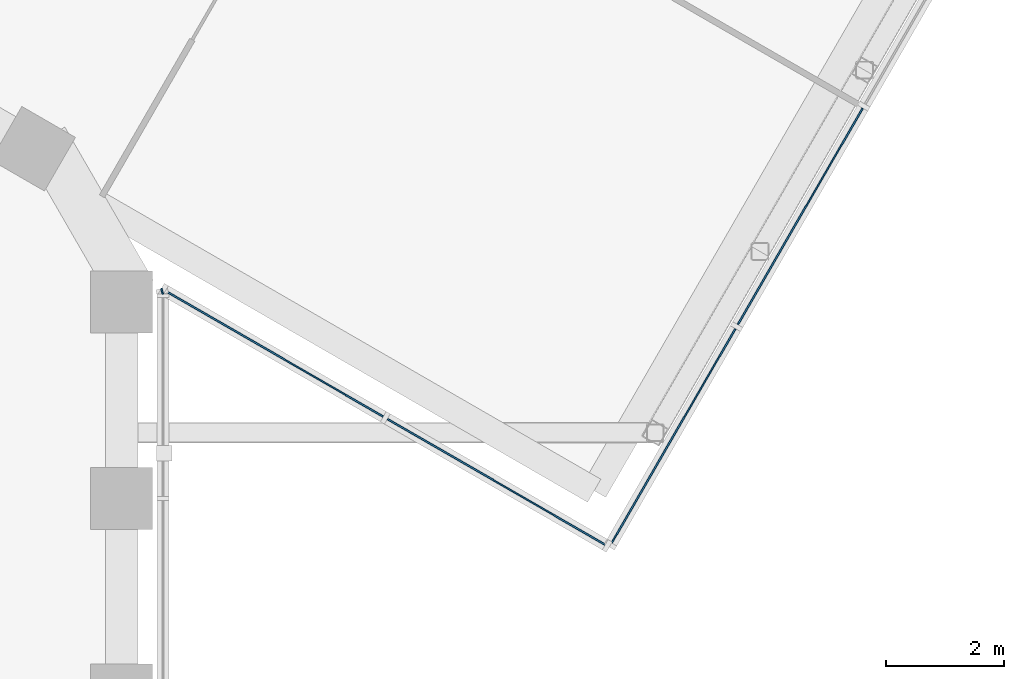
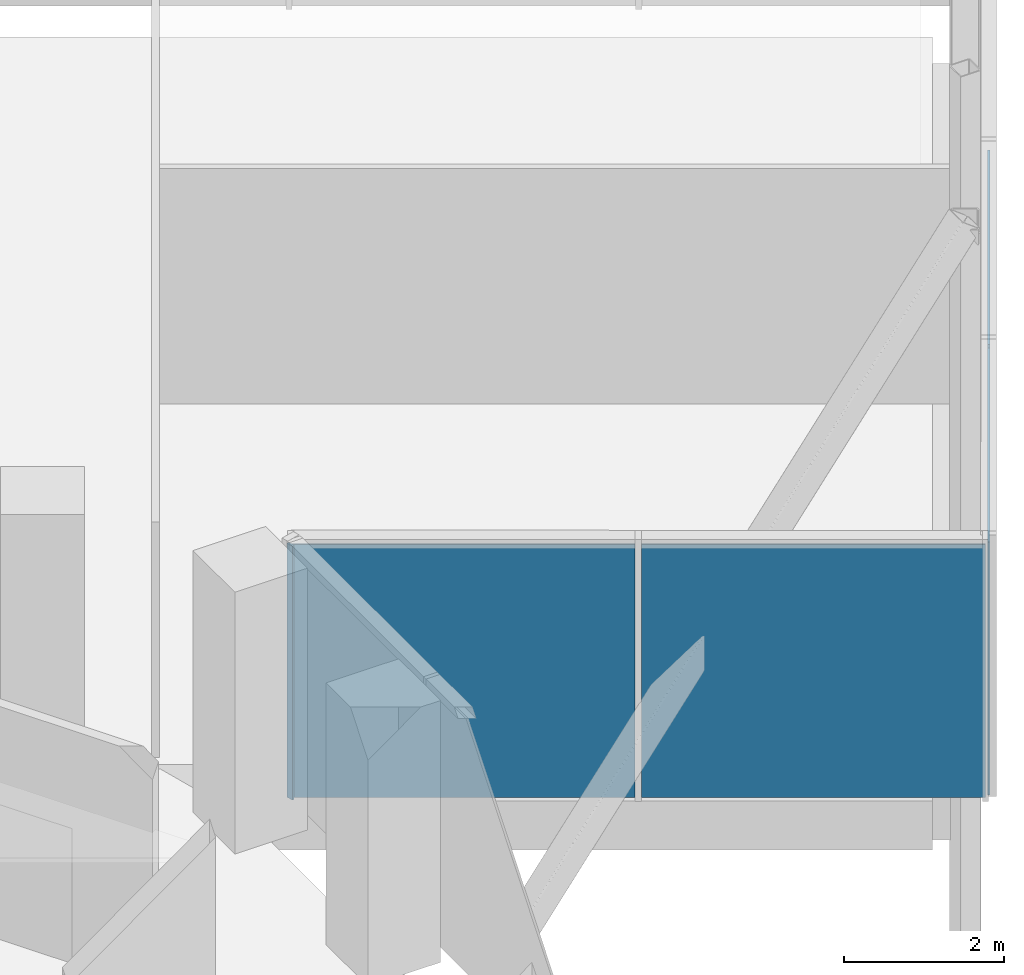
# One storey, part 15 of 25: 5 plates, 3 elements without a shape of their own.
"""IFC4 building model written with IfcOpenShell, lengths in metres."""

import ifcopenshell
import ifcopenshell.guid

model = None  # the IFC model being written
_history = None  # IfcOwnerHistory: only IFC2X3 demands one
_inside = {}  # id of a spatial element -> (the spatial element, [elements in it])
_under = {}  # id of a project, library or spatial element -> (it, [spatial elements below it])
_declared = {}  # id of a project -> (the project, [libraries it declares])
_typed = {}  # id of a type object -> (the type object, [elements of that type])
_made_of = {}  # id of a material, layer set ... -> (it, [elements and type objects made of it])


def new_model(schema):
    """Start an empty IFC model of exactly this schema.

    Asked for "IFC4X3", IfcOpenShell would pick the latest addendum, in which some entities
    have other attributes; the version numbers below select the first issue.
    IFC2X3 requires an IfcOwnerHistory on every rooted entity: one is made here for all.
    """
    global model, _history
    if schema == "IFC4X3":
        model = ifcopenshell.file(schema_version=(4, 3, 0, 0))
    else:
        model = ifcopenshell.file(schema=schema)
    _inside.clear()
    _under.clear()
    _declared.clear()
    _typed.clear()
    _made_of.clear()
    _history = None
    if model.schema == "IFC2X3":
        org = make("IfcOrganization", Name="unknown")
        user = make(
            "IfcPersonAndOrganization",
            ThePerson=make("IfcPerson", FamilyName="unknown"),
            TheOrganization=org,
        )
        app = make(
            "IfcApplication",
            ApplicationDeveloper=org,
            Version="unknown",
            ApplicationFullName="unknown",
            ApplicationIdentifier="unknown",
        )
        _history = make(
            "IfcOwnerHistory",
            OwningUser=user,
            OwningApplication=app,
            ChangeAction="ADDED",
            CreationDate=0,
        )
    return model


def make(cls, **values):
    """One entity of the class cls with the attributes given. An attribute that is None is left unset."""
    return model.create_entity(
        cls, **{name: value for name, value in values.items() if value is not None}
    )


def rooted(cls, **values):
    """An entity with a GlobalId (a new one), such as an element, a storey or a relation."""
    return make(cls, GlobalId=ifcopenshell.guid.new(), OwnerHistory=_history, **values)


def si_unit(unit_type, name, prefix=None):
    """IfcSIUnit, for example si_unit("LENGTHUNIT", "METRE", prefix="MILLI")."""
    return make("IfcSIUnit", UnitType=unit_type, Prefix=prefix, Name=name)


def assignment(units):
    """IfcUnitAssignment: the units of a project."""
    return None if units is None else make("IfcUnitAssignment", Units=units)


def point(xyz):
    """IfcCartesianPoint."""
    return None if xyz is None else make("IfcCartesianPoint", Coordinates=xyz)


def direction(xyz):
    """IfcDirection."""
    return None if xyz is None else make("IfcDirection", DirectionRatios=xyz)


def frame(location, z_axis=None, x_axis=None):
    """IfcAxis2Placement3D, a coordinate frame: its origin and axes. An axis left out is left unset."""
    return make(
        "IfcAxis2Placement3D",
        Location=point(location),
        Axis=direction(z_axis),
        RefDirection=direction(x_axis),
    )


def frame_2d(location, x_axis=None):
    """IfcAxis2Placement2D, a coordinate frame in the plane: its origin and x axis."""
    return make(
        "IfcAxis2Placement2D", Location=point(location), RefDirection=direction(x_axis)
    )


def origin():
    """The frame at (0, 0, 0) with its axes left unset."""
    return frame((0.0, 0.0, 0.0))


def origin_2d():
    """The frame at (0, 0) in the plane with its x axis left unset."""
    return frame_2d((0.0, 0.0))


def place(relative_to, where):
    """IfcLocalPlacement: puts the frame where relative to a parent placement (None: the world)."""
    return make(
        "IfcLocalPlacement", PlacementRelTo=relative_to, RelativePlacement=where
    )


def context(
    kind, dimensions, precision=None, world=None, true_north=None, identifier=None
):
    """IfcGeometricRepresentationContext, for example the 3D "Model" context."""
    return make(
        "IfcGeometricRepresentationContext",
        ContextIdentifier=identifier,
        ContextType=kind,
        CoordinateSpaceDimension=dimensions,
        Precision=precision,
        WorldCoordinateSystem=world,
        TrueNorth=true_north,
    )


def subcontext(parent, identifier, kind, view, scale=None):
    """IfcGeometricRepresentationSubContext, for example "Body" below "Model"."""
    return make(
        "IfcGeometricRepresentationSubContext",
        ContextIdentifier=identifier,
        ContextType=kind,
        ParentContext=parent,
        TargetScale=scale,
        TargetView=view,
    )


def project(units=None, contexts=None):
    """IfcProject with its units and contexts."""
    return rooted(
        "IfcProject",
        Name="project",
        RepresentationContexts=contexts,
        UnitsInContext=assignment(units),
    )


def spatial(cls, under=None, at=None, **own):
    """A site, building, storey or space (cls), placed at a placement, below another one or the project."""
    s = rooted(cls, ObjectPlacement=at, **own)
    if under is not None:
        _under.setdefault(under.id(), (under, []))[1].append(s)
    return s


def profile(cls, at=None, kind="AREA", **sizes):
    """A parametric profile (cls). Its sizes go by their IFC names, for example OverallWidth=200.0."""
    return make(cls, ProfileType=kind, Position=at, **sizes)


def rectangle(**sizes):
    """IfcRectangleProfileDef."""
    return profile("IfcRectangleProfileDef", **sizes)


def extrude(swept, where, along, depth):
    """IfcExtrudedAreaSolid: the profile swept, set in the frame where, extruded along a direction by depth."""
    return make(
        "IfcExtrudedAreaSolid",
        SweptArea=swept,
        Position=where,
        ExtrudedDirection=direction(along),
        Depth=depth,
    )


def shape(context_of_items, identifier, shape_type, items):
    """IfcShapeRepresentation: the items that make up one representation, for example the "Body"."""
    return make(
        "IfcShapeRepresentation",
        ContextOfItems=context_of_items,
        RepresentationIdentifier=identifier,
        RepresentationType=shape_type,
        Items=items,
    )


def material(Name=None, Category=None):
    """IfcMaterial."""
    return make("IfcMaterial", Name=Name, Category=Category)


def layer(
    of_material, thickness, ventilated=None, Name=None, Category=None, Priority=None
):
    """IfcMaterialLayer: one layer of a wall or slab, of a material (None: an air gap)."""
    return make(
        "IfcMaterialLayer",
        Material=of_material,
        LayerThickness=thickness,
        IsVentilated=ventilated,
        Name=Name,
        Category=Category,
        Priority=Priority,
    )


def layer_set(layers, Name=None):
    """IfcMaterialLayerSet."""
    return make("IfcMaterialLayerSet", MaterialLayers=layers, LayerSetName=Name)


def made_of(thing, what):
    """Note that an element or type object is made of a material, layer set ...; save() writes the relation."""
    if what is not None:
        _made_of.setdefault(what.id(), (what, []))[1].append(thing)
    return thing


def type_object(cls, material=None, **own):
    """A type object (cls), such as IfcWallType, which elements share."""
    return made_of(rooted(cls, **own), material)


def element(
    cls,
    number,
    at=None,
    inside=None,
    cuts=None,
    type_object=None,
    material=None,
    context=None,
    identifier="Body",
    shape_type=None,
    held_by="IfcProductDefinitionShape",
    body=None,
    shapes=None,
    **own,
):
    """One element of the class cls, such as IfcWall. Its Tag is "e" and its number.

    at: its placement. inside: the storey or other place that contains it. cuts: it is an
    opening in that element (IfcRelVoidsElement). A single representation is given by context,
    identifier, shape_type and body (its items); several are given by shapes. held_by: the class
    of the entity that holds the representations. save() writes the other relations.
    """
    e = rooted(cls, Tag="e%d" % number, ObjectPlacement=at, **own)
    if body is not None:
        shapes = [shape(context, identifier, shape_type, body)]
    if shapes is not None:
        e.Representation = make(held_by, Representations=shapes)
    if inside is not None:
        _inside.setdefault(inside.id(), (inside, []))[1].append(e)
    if cuts is not None:
        rooted(
            "IfcRelVoidsElement", RelatingBuildingElement=cuts, RelatedOpeningElement=e
        )
    if type_object is not None:
        _typed.setdefault(type_object.id(), (type_object, []))[1].append(e)
    return made_of(e, material)


def aggregate(whole, parts):
    """IfcRelAggregates: a whole, such as a stair, and the parts it consists of."""
    return rooted("IfcRelAggregates", RelatingObject=whole, RelatedObjects=parts)


def save(model, path):
    """Write the relations noted so far, then the file.

    IfcRelAggregates (storeys below a building ...), IfcRelContainedInSpatialStructure (elements
    in a storey), IfcRelDefinesByType, IfcRelAssociatesMaterial and IfcRelDeclares: one each for
    every whole, place, type object, material and project.
    """
    for whole, parts in _under.values():
        aggregate(whole, parts)
    for where, things in _inside.values():
        rooted(
            "IfcRelContainedInSpatialStructure",
            RelatedElements=things,
            RelatingStructure=where,
        )
    for kind, things in _typed.values():
        rooted("IfcRelDefinesByType", RelatedObjects=things, RelatingType=kind)
    for what, things in _made_of.values():
        rooted("IfcRelAssociatesMaterial", RelatedObjects=things, RelatingMaterial=what)
    for by, libraries in _declared.values():
        rooted("IfcRelDeclares", RelatingContext=by, RelatedDefinitions=libraries)
    model.write(path)


model = new_model("IFC4")

# Units and contexts
model_context = context("Model", 3, precision=1e-05, world=origin(), true_north=direction((0.0, 1.0)))
body_context = subcontext(model_context, "Body", "Model", "MODEL_VIEW")
ifc_project = project(units=[si_unit("LENGTHUNIT", "METRE"), si_unit("AREAUNIT", "SQUARE_METRE"), si_unit("VOLUMEUNIT", "CUBIC_METRE"), si_unit("PLANEANGLEUNIT", "RADIAN"), si_unit("MASSUNIT", "GRAM", prefix="KILO")], contexts=[model_context])

# Site, building, storey
site_placement = place(None, origin())
site = spatial("IfcSite", under=ifc_project, at=site_placement, CompositionType="ELEMENT")
building_placement = place(site_placement, origin())
building = spatial("IfcBuilding", under=site, at=building_placement, Name="Ayvan Gate Tower", CompositionType="ELEMENT")
storey_placement = place(building_placement, frame((0.0, 0.0, 139.89990234375)))
storey = spatial("IfcBuildingStorey", under=building, at=storey_placement, Name="L37", CompositionType="ELEMENT", Elevation=139.89990234375)

# Curtain wall, plates
ifc_material_1 = material(Name="Bronze anodised aluminium", Category="aluminium")
ifc_layer_1 = layer(ifc_material_1, 0.199951171875)
ifc_layer_set_1 = layer_set([ifc_layer_1], Name="Bronze anodised aluminium")
curtain_wall_type_1 = type_object("IfcCurtainWallType", Name="Stick curtain wall CW-4", PredefinedType="NOTDEFINED", material=ifc_layer_set_1)
curtain_wall_1_placement = place(storey_placement, origin())
curtain_wall_1 = element("IfcCurtainWall", 1, at=curtain_wall_1_placement, inside=storey, type_object=curtain_wall_type_1, Name="Stick curtain wall CW-4 L37", PredefinedType="NOTDEFINED")
ifc_material_2 = material(Name="Pale anodised aluminium composite panel", Category="aluminium")
ifc_layer_2 = layer(ifc_material_2, 0.028076171875)
ifc_layer_set_2 = layer_set([ifc_layer_2], Name="Pale anodised aluminium composite panel")
plate_type_1 = type_object("IfcPlateType", Name="Stick curtain wall CW-4 solid panel", PredefinedType="CURTAIN_PANEL", material=ifc_layer_set_2)
plate_1_placement = place(storey_placement, frame((22.05908203125, 7.464599609375, 0.0), z_axis=(0.0, 0.0, 1.0), x_axis=(0.866025403784, -0.5, 0.0)))
plate_1 = element("IfcPlate", 2, at=plate_1_placement, type_object=plate_type_1, Name="CW-4 solid panel 1", PredefinedType="CURTAIN_PANEL", context=body_context, shape_type="SweptSolid", body=[
    extrude(rectangle(XDim=4.305908203125, YDim=0.028076171875, at=origin_2d()), origin(), (0.0, 0.0, 1.0), 3.860107421875),
])
plate_2_placement = place(storey_placement, frame((25.857177734375, 5.271728515625, 0.0), z_axis=(0.0, 0.0, 1.0), x_axis=(0.866025403784, -0.5, 0.0)))
plate_2 = element("IfcPlate", 3, at=plate_2_placement, type_object=plate_type_1, Name="CW-4 solid panel 2", PredefinedType="CURTAIN_PANEL", context=body_context, shape_type="SweptSolid", body=[
    extrude(rectangle(XDim=4.305908203125, YDim=0.028076171875, at=origin_2d()), origin(), (0.0, 0.0, 1.0), 3.860107421875),
])
aggregate(curtain_wall_1, [plate_1, plate_2])

curtain_wall_2_placement = place(storey_placement, origin())
curtain_wall_2 = element("IfcCurtainWall", 4, at=curtain_wall_2_placement, inside=storey, type_object=curtain_wall_type_1, Name="Stick curtain wall CW-4 L37", PredefinedType="NOTDEFINED")
plate_3_placement = place(storey_placement, frame((28.835693359375, 6.044921875, 0.0), z_axis=(0.0, 0.0, 1.0), x_axis=(0.5, 0.866025403784, 0.0)))
plate_3 = element("IfcPlate", 5, at=plate_3_placement, type_object=plate_type_1, Name="CW-4 solid panel 1", PredefinedType="CURTAIN_PANEL", context=body_context, shape_type="SweptSolid", body=[
    extrude(rectangle(XDim=4.237548828125, YDim=0.028076171875, at=origin_2d()), origin(), (0.0, 0.0, 1.0), 3.860107421875),
])
plate_4_placement = place(storey_placement, frame((30.994384765625, 9.783935546875, 0.0), z_axis=(0.0, 0.0, 1.0), x_axis=(0.5, 0.866025403784, 0.0)))
plate_4 = element("IfcPlate", 6, at=plate_4_placement, type_object=plate_type_1, Name="CW-4 solid panel 2", PredefinedType="CURTAIN_PANEL", context=body_context, shape_type="SweptSolid", body=[
    extrude(rectangle(XDim=4.237548828125, YDim=0.028076171875, at=origin_2d()), origin(), (0.0, 0.0, 1.0), 3.860107421875),
])
aggregate(curtain_wall_2, [plate_3, plate_4])

# Curtain wall, plate
ifc_layer_3 = layer(ifc_material_1, 0.199951171875)
ifc_layer_set_3 = layer_set([ifc_layer_3], Name="Bronze anodised aluminium")
curtain_wall_type_2 = type_object("IfcCurtainWallType", Name="Stick curtain wall CW-6", PredefinedType="NOTDEFINED", material=ifc_layer_set_3)
curtain_wall_3_placement = place(storey_placement, origin())
curtain_wall_3 = element("IfcCurtainWall", 7, at=curtain_wall_3_placement, inside=storey, type_object=curtain_wall_type_2, Name="Stick curtain wall CW-6 L37", PredefinedType="NOTDEFINED")
ifc_material_3 = material(Name="Clear low-iron laminated glass", Category="glass")
ifc_layer_4 = layer(ifc_material_3, 0.028076171875)
ifc_layer_set_4 = layer_set([ifc_layer_4], Name="Clear low-iron laminated glass")
plate_type_2 = type_object("IfcPlateType", Name="Stick curtain wall CW-6 glass panel", PredefinedType="CURTAIN_PANEL", material=ifc_layer_set_4)
plate_5_placement = place(storey_placement, frame((20.172607421875, 8.51318359375, 0.000244140625), z_axis=(0.0, 0.0, 1.0), x_axis=(-0.258819045103, 0.965925826289, 0.0)))
plate_5 = element("IfcPlate", 8, at=plate_5_placement, type_object=plate_type_2, Name="CW-6 glass panel 1", PredefinedType="CURTAIN_PANEL", context=body_context, shape_type="SweptSolid", body=[
    extrude(rectangle(XDim=0.099365234375, YDim=0.028076171875, at=origin_2d()), origin(), (0.0, 0.0, 1.0), 3.8798828125),
])
aggregate(curtain_wall_3, [plate_5])

save(model, "model.ifc")
